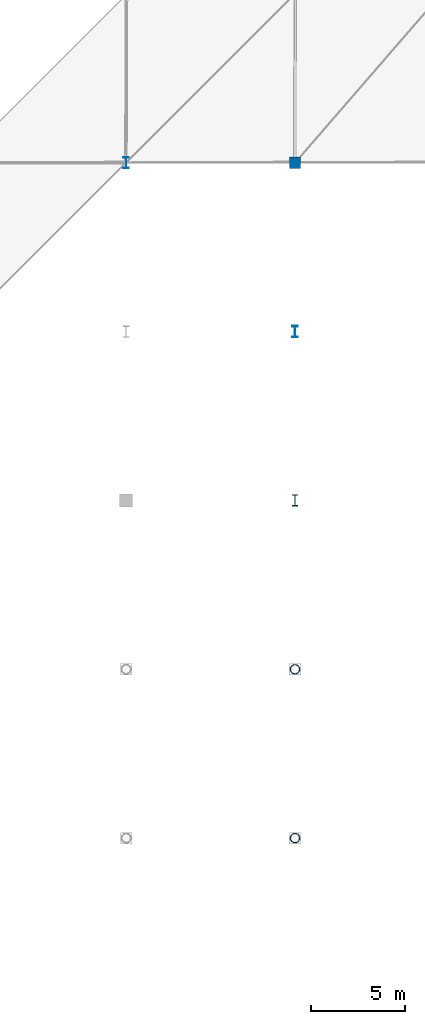
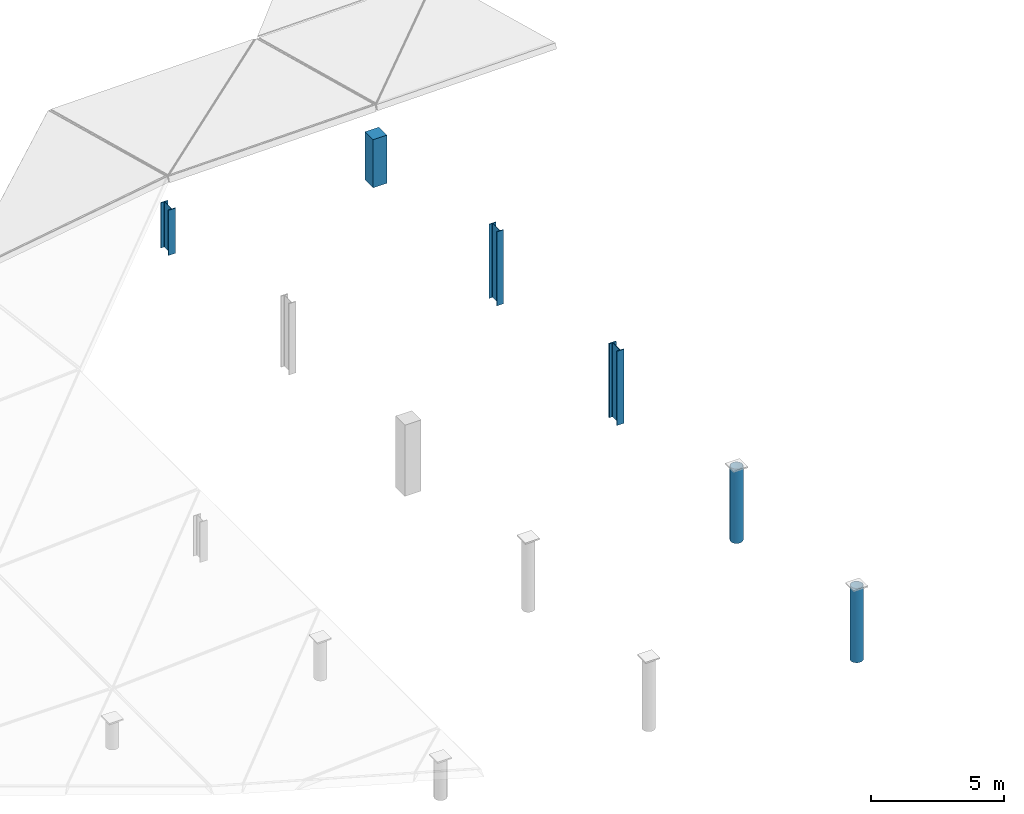
# One storey, part 4 of 58: 6 columns.
"""IFC4 building model written with IfcOpenShell, lengths in metres."""

from ifc_helpers import new_model, si_unit, direction, frame, origin, origin_2d, place, context, subcontext, project, spatial, rectangle, hollow_circle, i_section, extrude, material, material_profile, profile_set, type_object, element, save


model = new_model("IFC4")

# Units and contexts
model_context = context("Model", 3, precision=1e-05, world=origin(), true_north=direction((0.0, 1.0)))
body_context = subcontext(model_context, "Body", "Model", "MODEL_VIEW")
ifc_project = project(units=[si_unit("LENGTHUNIT", "METRE"), si_unit("AREAUNIT", "SQUARE_METRE"), si_unit("VOLUMEUNIT", "CUBIC_METRE"), si_unit("PLANEANGLEUNIT", "RADIAN"), si_unit("MASSUNIT", "GRAM", prefix="KILO")], contexts=[model_context])

# Site, building, storey
site_placement = place(None, origin())
site = spatial("IfcSite", under=ifc_project, at=site_placement, CompositionType="ELEMENT")
building_placement = place(site_placement, origin())
building = spatial("IfcBuilding", under=site, at=building_placement, Name="Barlavento Convention Centre", CompositionType="ELEMENT")
storey_placement = place(building_placement, frame((0.0, 0.0, 26.800048828125)))
storey = spatial("IfcBuildingStorey", under=building, at=storey_placement, Name="L05", CompositionType="ELEMENT", Elevation=26.800048828125)

# Columns
ifc_material_1 = material(Name="Steel S460", Category="steel")
ifc_material_profile_1 = material_profile(ifc_material_1, hollow_circle(Radius=0.25390625, WallThickness=0.02001953125, at=origin_2d()), Name="CHS 508.0x20.0")
ifc_profile_set_1 = profile_set([ifc_material_profile_1], Name="Steel S460")
column_type_1 = type_object("IfcColumnType", Name="STR-COL-CHS508", PredefinedType="COLUMN", material=ifc_profile_set_1)
for number, where, z_axis, x_axis, name in (
    (1, (63.0, 0.0, 0.0), (0.0, 0.0, 1.0), (1.0, 0.0, 0.0), "L05 Congress hall column SC13"),
    (2, (63.0, 9.0, 0.0), (0.0, 0.0, 1.0), (1.0, 0.0, 0.0), "L05 Congress hall column SC13"),
):
    element("IfcColumn", number, at=place(storey_placement, frame(where, z_axis=z_axis, x_axis=x_axis)), inside=storey, type_object=column_type_1, Name=name, PredefinedType="COLUMN", context=body_context, shape_type="SweptSolid", body=[
        extrude(hollow_circle(Radius=0.25390625, WallThickness=0.02001953125, at=origin_2d()), origin(), (0.0, 0.0, 1.0), 3.386962890625),
    ])
ifc_material_2 = material(Name="Steel S355", Category="steel")
ifc_material_profile_2 = material_profile(ifc_material_2, i_section(OverallWidth=0.300048828125, OverallDepth=0.60009765625, WebThickness=0.015380859375, FlangeThickness=0.030029296875, FilletRadius=0.027099609375, at=origin_2d()), Name="HEB 600")
ifc_profile_set_2 = profile_set([ifc_material_profile_2], Name="Steel S355")
column_type_2 = type_object("IfcColumnType", Name="STR-COL-HEB600", PredefinedType="COLUMN", material=ifc_profile_set_2)
column_1_placement = place(storey_placement, frame((54.0, 36.0, 0.0), z_axis=(0.0, 0.0, 1.0), x_axis=(1.0, 0.0, 0.0)))
element("IfcColumn", 3, at=column_1_placement, inside=storey, type_object=column_type_2, Name="L05 Congress hall column SC08", PredefinedType="COLUMN", context=body_context, shape_type="SweptSolid", body=[
    extrude(i_section(OverallWidth=0.300048828125, OverallDepth=0.60009765625, WebThickness=0.015380859375, FlangeThickness=0.030029296875, FilletRadius=0.027099609375, at=origin_2d()), origin(), (0.0, 0.0, 1.0), 2.070556640625),
])
column_2_placement = place(storey_placement, frame((63.0, 27.0, 0.0), z_axis=(0.0, 0.0, 1.0), x_axis=(1.0, 0.0, 0.0)))
element("IfcColumn", 4, at=column_2_placement, inside=storey, type_object=column_type_2, Name="L05 Congress hall column SC08", PredefinedType="COLUMN", context=body_context, shape_type="SweptSolid", body=[
    extrude(i_section(OverallWidth=0.300048828125, OverallDepth=0.60009765625, WebThickness=0.015380859375, FlangeThickness=0.030029296875, FilletRadius=0.027099609375, at=origin_2d()), origin(), (0.0, 0.0, 1.0), 3.386962890625),
])
ifc_material_profile_3 = material_profile(ifc_material_2, i_section(OverallWidth=0.304931640625, OverallDepth=0.6201171875, WebThickness=0.02099609375, FlangeThickness=0.0400390625, FilletRadius=0.027099609375, at=origin_2d()), Name="HEM 600")
ifc_profile_set_3 = profile_set([ifc_material_profile_3], Name="Steel S355")
column_type_3 = type_object("IfcColumnType", Name="STR-COL-HEM600", PredefinedType="COLUMN", material=ifc_profile_set_3)
column_3_placement = place(storey_placement, frame((63.0, 18.0, 0.0), z_axis=(0.0, 0.0, 1.0), x_axis=(1.0, 0.0, 0.0)))
element("IfcColumn", 5, at=column_3_placement, inside=storey, type_object=column_type_3, Name="L05 Congress hall column SC05", PredefinedType="COLUMN", context=body_context, shape_type="SweptSolid", body=[
    extrude(i_section(OverallWidth=0.304931640625, OverallDepth=0.6201171875, WebThickness=0.02099609375, FlangeThickness=0.0400390625, FilletRadius=0.027099609375, at=origin_2d()), origin(), (0.0, 0.0, 1.0), 3.386962890625),
])
ifc_material_3 = material(Name="Concrete C40/50", Category="concrete")
ifc_material_profile_4 = material_profile(ifc_material_3, rectangle(XDim=0.60009765625, YDim=0.60009765625, at=origin_2d()), Name="RC 600x600")
ifc_profile_set_4 = profile_set([ifc_material_profile_4], Name="Concrete C40/50")
column_type_4 = type_object("IfcColumnType", Name="STR-COL-RC600", PredefinedType="COLUMN", material=ifc_profile_set_4)
column_4_placement = place(storey_placement, frame((63.0, 36.0, 0.0), z_axis=(0.0, 0.0, 1.0), x_axis=(1.0, 0.0, 0.0)))
element("IfcColumn", 6, at=column_4_placement, inside=storey, type_object=column_type_4, Name="L05 Congress hall column CC07", PredefinedType="COLUMN", context=body_context, shape_type="SweptSolid", body=[
    extrude(rectangle(XDim=0.60009765625, YDim=0.60009765625, at=origin_2d()), origin(), (0.0, 0.0, 1.0), 2.201171875),
])

save(model, "model.ifc")
